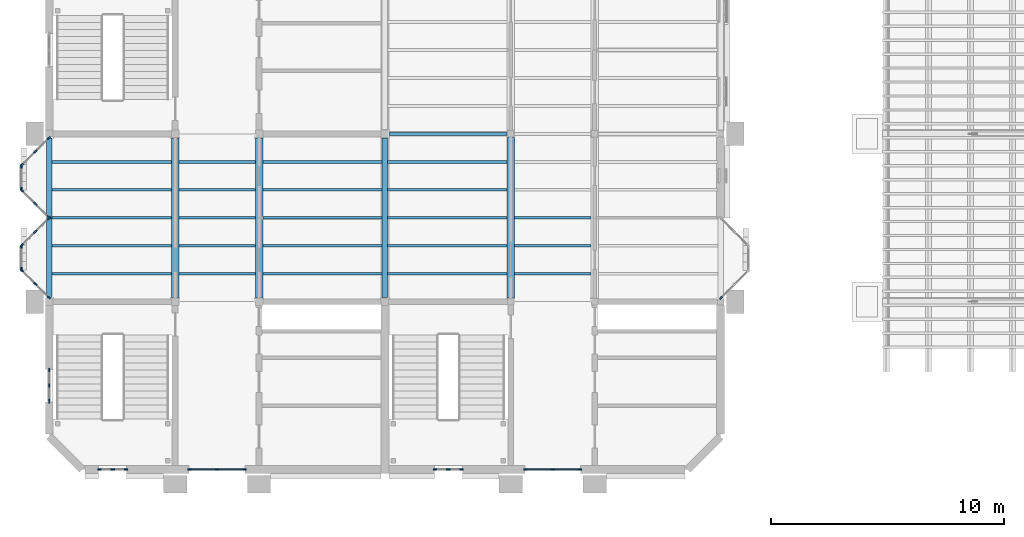
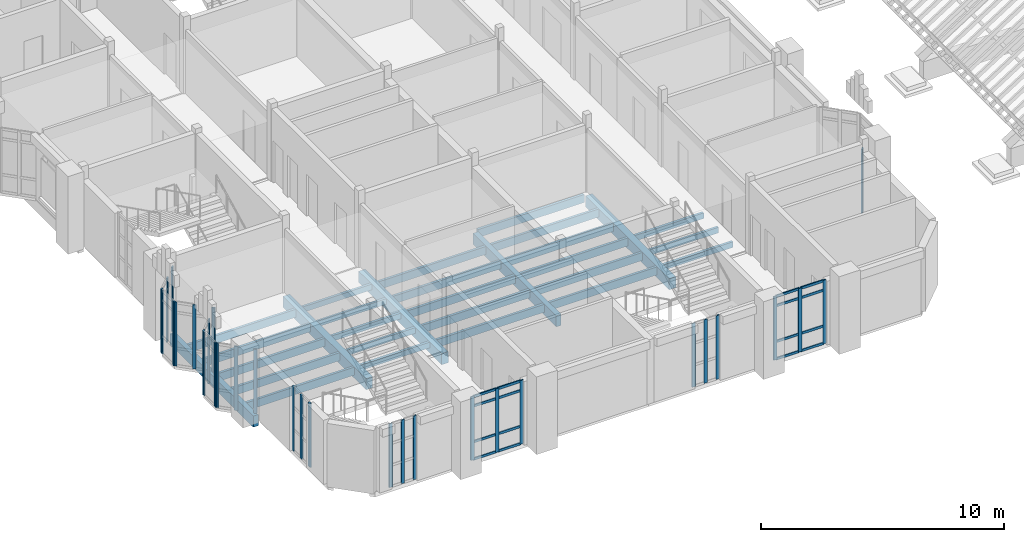
# One storey, part 4 of 71: 48 members, 29 beams, 12 elements without a shape of their own.
"""IFC4 building model written with IfcOpenShell, lengths in metres."""

import ifcopenshell
import ifcopenshell.guid

model = None  # the IFC model being written
_history = None  # IfcOwnerHistory: only IFC2X3 demands one
_inside = {}  # id of a spatial element -> (the spatial element, [elements in it])
_under = {}  # id of a project, library or spatial element -> (it, [spatial elements below it])
_declared = {}  # id of a project -> (the project, [libraries it declares])
_typed = {}  # id of a type object -> (the type object, [elements of that type])
_made_of = {}  # id of a material, layer set ... -> (it, [elements and type objects made of it])


def new_model(schema):
    """Start an empty IFC model of exactly this schema.

    Asked for "IFC4X3", IfcOpenShell would pick the latest addendum, in which some entities
    have other attributes; the version numbers below select the first issue.
    IFC2X3 requires an IfcOwnerHistory on every rooted entity: one is made here for all.
    """
    global model, _history
    if schema == "IFC4X3":
        model = ifcopenshell.file(schema_version=(4, 3, 0, 0))
    else:
        model = ifcopenshell.file(schema=schema)
    _inside.clear()
    _under.clear()
    _declared.clear()
    _typed.clear()
    _made_of.clear()
    _history = None
    if model.schema == "IFC2X3":
        org = make("IfcOrganization", Name="unknown")
        user = make(
            "IfcPersonAndOrganization",
            ThePerson=make("IfcPerson", FamilyName="unknown"),
            TheOrganization=org,
        )
        app = make(
            "IfcApplication",
            ApplicationDeveloper=org,
            Version="unknown",
            ApplicationFullName="unknown",
            ApplicationIdentifier="unknown",
        )
        _history = make(
            "IfcOwnerHistory",
            OwningUser=user,
            OwningApplication=app,
            ChangeAction="ADDED",
            CreationDate=0,
        )
    return model


def make(cls, **values):
    """One entity of the class cls with the attributes given. An attribute that is None is left unset."""
    return model.create_entity(
        cls, **{name: value for name, value in values.items() if value is not None}
    )


def rooted(cls, **values):
    """An entity with a GlobalId (a new one), such as an element, a storey or a relation."""
    return make(cls, GlobalId=ifcopenshell.guid.new(), OwnerHistory=_history, **values)


def si_unit(unit_type, name, prefix=None):
    """IfcSIUnit, for example si_unit("LENGTHUNIT", "METRE", prefix="MILLI")."""
    return make("IfcSIUnit", UnitType=unit_type, Prefix=prefix, Name=name)


def assignment(units):
    """IfcUnitAssignment: the units of a project."""
    return None if units is None else make("IfcUnitAssignment", Units=units)


def point(xyz):
    """IfcCartesianPoint."""
    return None if xyz is None else make("IfcCartesianPoint", Coordinates=xyz)


def direction(xyz):
    """IfcDirection."""
    return None if xyz is None else make("IfcDirection", DirectionRatios=xyz)


def frame(location, z_axis=None, x_axis=None):
    """IfcAxis2Placement3D, a coordinate frame: its origin and axes. An axis left out is left unset."""
    return make(
        "IfcAxis2Placement3D",
        Location=point(location),
        Axis=direction(z_axis),
        RefDirection=direction(x_axis),
    )


def frame_2d(location, x_axis=None):
    """IfcAxis2Placement2D, a coordinate frame in the plane: its origin and x axis."""
    return make(
        "IfcAxis2Placement2D", Location=point(location), RefDirection=direction(x_axis)
    )


def origin():
    """The frame at (0, 0, 0) with its axes left unset."""
    return frame((0.0, 0.0, 0.0))


def origin_2d():
    """The frame at (0, 0) in the plane with its x axis left unset."""
    return frame_2d((0.0, 0.0))


def place(relative_to, where):
    """IfcLocalPlacement: puts the frame where relative to a parent placement (None: the world)."""
    return make(
        "IfcLocalPlacement", PlacementRelTo=relative_to, RelativePlacement=where
    )


def context(
    kind, dimensions, precision=None, world=None, true_north=None, identifier=None
):
    """IfcGeometricRepresentationContext, for example the 3D "Model" context."""
    return make(
        "IfcGeometricRepresentationContext",
        ContextIdentifier=identifier,
        ContextType=kind,
        CoordinateSpaceDimension=dimensions,
        Precision=precision,
        WorldCoordinateSystem=world,
        TrueNorth=true_north,
    )


def subcontext(parent, identifier, kind, view, scale=None):
    """IfcGeometricRepresentationSubContext, for example "Body" below "Model"."""
    return make(
        "IfcGeometricRepresentationSubContext",
        ContextIdentifier=identifier,
        ContextType=kind,
        ParentContext=parent,
        TargetScale=scale,
        TargetView=view,
    )


def project(units=None, contexts=None):
    """IfcProject with its units and contexts."""
    return rooted(
        "IfcProject",
        Name="project",
        RepresentationContexts=contexts,
        UnitsInContext=assignment(units),
    )


def spatial(cls, under=None, at=None, **own):
    """A site, building, storey or space (cls), placed at a placement, below another one or the project."""
    s = rooted(cls, ObjectPlacement=at, **own)
    if under is not None:
        _under.setdefault(under.id(), (under, []))[1].append(s)
    return s


def profile(cls, at=None, kind="AREA", **sizes):
    """A parametric profile (cls). Its sizes go by their IFC names, for example OverallWidth=200.0."""
    return make(cls, ProfileType=kind, Position=at, **sizes)


def rectangle(**sizes):
    """IfcRectangleProfileDef."""
    return profile("IfcRectangleProfileDef", **sizes)


def extrude(swept, where, along, depth):
    """IfcExtrudedAreaSolid: the profile swept, set in the frame where, extruded along a direction by depth."""
    return make(
        "IfcExtrudedAreaSolid",
        SweptArea=swept,
        Position=where,
        ExtrudedDirection=direction(along),
        Depth=depth,
    )


def shape(context_of_items, identifier, shape_type, items):
    """IfcShapeRepresentation: the items that make up one representation, for example the "Body"."""
    return make(
        "IfcShapeRepresentation",
        ContextOfItems=context_of_items,
        RepresentationIdentifier=identifier,
        RepresentationType=shape_type,
        Items=items,
    )


def material(Name=None, Category=None):
    """IfcMaterial."""
    return make("IfcMaterial", Name=Name, Category=Category)


def layer(
    of_material, thickness, ventilated=None, Name=None, Category=None, Priority=None
):
    """IfcMaterialLayer: one layer of a wall or slab, of a material (None: an air gap)."""
    return make(
        "IfcMaterialLayer",
        Material=of_material,
        LayerThickness=thickness,
        IsVentilated=ventilated,
        Name=Name,
        Category=Category,
        Priority=Priority,
    )


def layer_set(layers, Name=None):
    """IfcMaterialLayerSet."""
    return make("IfcMaterialLayerSet", MaterialLayers=layers, LayerSetName=Name)


def material_profile(
    of_material, cross_section, Name=None, Category=None, Priority=None
):
    """IfcMaterialProfile: a cross section and its material."""
    return make(
        "IfcMaterialProfile",
        Name=Name,
        Material=of_material,
        Profile=cross_section,
        Priority=Priority,
        Category=Category,
    )


def profile_set(profiles, Name=None, composite=None):
    """IfcMaterialProfileSet."""
    return make(
        "IfcMaterialProfileSet",
        Name=Name,
        MaterialProfiles=profiles,
        CompositeProfile=composite,
    )


def made_of(thing, what):
    """Note that an element or type object is made of a material, layer set ...; save() writes the relation."""
    if what is not None:
        _made_of.setdefault(what.id(), (what, []))[1].append(thing)
    return thing


def type_object(cls, material=None, **own):
    """A type object (cls), such as IfcWallType, which elements share."""
    return made_of(rooted(cls, **own), material)


def element(
    cls,
    number,
    at=None,
    inside=None,
    cuts=None,
    type_object=None,
    material=None,
    context=None,
    identifier="Body",
    shape_type=None,
    held_by="IfcProductDefinitionShape",
    body=None,
    shapes=None,
    **own,
):
    """One element of the class cls, such as IfcWall. Its Tag is "e" and its number.

    at: its placement. inside: the storey or other place that contains it. cuts: it is an
    opening in that element (IfcRelVoidsElement). A single representation is given by context,
    identifier, shape_type and body (its items); several are given by shapes. held_by: the class
    of the entity that holds the representations. save() writes the other relations.
    """
    e = rooted(cls, Tag="e%d" % number, ObjectPlacement=at, **own)
    if body is not None:
        shapes = [shape(context, identifier, shape_type, body)]
    if shapes is not None:
        e.Representation = make(held_by, Representations=shapes)
    if inside is not None:
        _inside.setdefault(inside.id(), (inside, []))[1].append(e)
    if cuts is not None:
        rooted(
            "IfcRelVoidsElement", RelatingBuildingElement=cuts, RelatedOpeningElement=e
        )
    if type_object is not None:
        _typed.setdefault(type_object.id(), (type_object, []))[1].append(e)
    return made_of(e, material)


def aggregate(whole, parts):
    """IfcRelAggregates: a whole, such as a stair, and the parts it consists of."""
    return rooted("IfcRelAggregates", RelatingObject=whole, RelatedObjects=parts)


def save(model, path):
    """Write the relations noted so far, then the file.

    IfcRelAggregates (storeys below a building ...), IfcRelContainedInSpatialStructure (elements
    in a storey), IfcRelDefinesByType, IfcRelAssociatesMaterial and IfcRelDeclares: one each for
    every whole, place, type object, material and project.
    """
    for whole, parts in _under.values():
        aggregate(whole, parts)
    for where, things in _inside.values():
        rooted(
            "IfcRelContainedInSpatialStructure",
            RelatedElements=things,
            RelatingStructure=where,
        )
    for kind, things in _typed.values():
        rooted("IfcRelDefinesByType", RelatedObjects=things, RelatingType=kind)
    for what, things in _made_of.values():
        rooted("IfcRelAssociatesMaterial", RelatedObjects=things, RelatingMaterial=what)
    for by, libraries in _declared.values():
        rooted("IfcRelDeclares", RelatingContext=by, RelatedDefinitions=libraries)
    model.write(path)


model = new_model("IFC4")

# Units and contexts
model_context = context("Model", 3, precision=1e-05, world=origin(), true_north=direction((0.0, 1.0)))
body_context = subcontext(model_context, "Body", "Model", "MODEL_VIEW")
ifc_project = project(units=[si_unit("LENGTHUNIT", "METRE"), si_unit("AREAUNIT", "SQUARE_METRE"), si_unit("VOLUMEUNIT", "CUBIC_METRE"), si_unit("PLANEANGLEUNIT", "RADIAN"), si_unit("MASSUNIT", "GRAM", prefix="KILO")], contexts=[model_context])

# Site, building, storey
site_placement = place(None, origin())
site = spatial("IfcSite", under=ifc_project, at=site_placement, CompositionType="ELEMENT")
building_placement = place(site_placement, origin())
building = spatial("IfcBuilding", under=site, at=building_placement, Name="Mazhai Court Health Centre", CompositionType="ELEMENT")
storey_placement = place(building_placement, frame((0.0, 0.0, 10.199951171875)))
storey = spatial("IfcBuildingStorey", under=building, at=storey_placement, Name="L02", CompositionType="ELEMENT", Elevation=10.199951171875)

# Curtain wall, members
ifc_material_1 = material(Name="Teak timber frame, glazed", Category="wood")
ifc_layer_1 = layer(ifc_material_1, 0.10009765625)
ifc_layer_set_1 = layer_set([ifc_layer_1], Name="CURTAIN WALL TIMBER 600")
curtain_wall_type_1 = type_object("IfcCurtainWallType", Name="CURTAIN WALL TIMBER 600", PredefinedType="NOTDEFINED", material=ifc_layer_set_1)
curtain_wall_1_placement = place(storey_placement, origin())
curtain_wall_1 = element("IfcCurtainWall", 1, at=curtain_wall_1_placement, inside=storey, type_object=curtain_wall_type_1, Name="CW-V2-L02-A0", PredefinedType="NOTDEFINED")
ifc_material_2 = material(Name="Teak timber", Category="wood")
ifc_material_profile_1 = material_profile(ifc_material_2, rectangle(XDim=0.06005859375, YDim=0.159912109375, at=origin_2d()), Name="CW MULLION 60x160")
ifc_profile_set_1 = profile_set([ifc_material_profile_1], Name="Teak timber")
member_type_1 = type_object("IfcMemberType", Name="CW MULLION 60x160", PredefinedType="MULLION", material=ifc_profile_set_1)
member_1_placement = place(storey_placement, frame((6.199951171875, 9.1298828125, 0.0), z_axis=(0.0, 0.0, 1.0), x_axis=(-1.0, 0.0, 0.0)))
member_1 = element("IfcMember", 2, at=member_1_placement, type_object=member_type_1, Name="CW mullion 1", PredefinedType="MULLION", context=body_context, shape_type="SweptSolid", body=[
    extrude(rectangle(XDim=0.06005859375, YDim=0.159912109375, at=origin_2d()), origin(), (0.0, 0.0, 1.0), 3.219970703125),
])
member_2_placement = place(storey_placement, frame((6.199951171875, 9.800048828125, 0.0), z_axis=(0.0, 0.0, 1.0), x_axis=(-1.0, 0.0, 0.0)))
member_2 = element("IfcMember", 3, at=member_2_placement, type_object=member_type_1, Name="CW mullion 2", PredefinedType="MULLION", context=body_context, shape_type="SweptSolid", body=[
    extrude(rectangle(XDim=0.06005859375, YDim=0.159912109375, at=origin_2d()), origin(), (0.0, 0.0, 1.0), 3.219970703125),
])
member_3_placement = place(storey_placement, frame((6.199951171875, 10.469970703125, 0.0), z_axis=(0.0, 0.0, 1.0), x_axis=(-1.0, 0.0, 0.0)))
member_3 = element("IfcMember", 4, at=member_3_placement, type_object=member_type_1, Name="CW mullion 3", PredefinedType="MULLION", context=body_context, shape_type="SweptSolid", body=[
    extrude(rectangle(XDim=0.06005859375, YDim=0.159912109375, at=origin_2d()), origin(), (0.0, 0.0, 1.0), 3.219970703125),
])
aggregate(curtain_wall_1, [member_1, member_2, member_3])

ifc_material_3 = material(Name="Teak timber frame, glazed", Category="wood")
ifc_layer_2 = layer(ifc_material_3, 0.10009765625)
ifc_layer_set_2 = layer_set([ifc_layer_2], Name="CURTAIN WALL TIMBER 900")
curtain_wall_type_2 = type_object("IfcCurtainWallType", Name="CURTAIN WALL TIMBER 900", PredefinedType="NOTDEFINED", material=ifc_layer_set_2)
curtain_wall_2_placement = place(storey_placement, origin())
curtain_wall_2 = element("IfcCurtainWall", 5, at=curtain_wall_2_placement, inside=storey, type_object=curtain_wall_type_2, Name="CW-ORIEL-V2-L02-A10-0", PredefinedType="NOTDEFINED")
member_4_placement = place(storey_placement, frame((6.1787109375, 13.581298828125, 0.0), z_axis=(0.0, 0.0, 1.0), x_axis=(-0.707106781187, -0.707106781187, 0.0)))
member_4 = element("IfcMember", 6, at=member_4_placement, type_object=member_type_1, Name="CW mullion 1", PredefinedType="MULLION", context=body_context, shape_type="SweptSolid", body=[
    extrude(rectangle(XDim=0.06005859375, YDim=0.159912109375, at=origin_2d()), origin(), (0.0, 0.0, 1.0), 3.219970703125),
])
member_5_placement = place(storey_placement, frame((5.60009765625, 14.159912109375, 0.0), z_axis=(0.0, 0.0, 1.0), x_axis=(-0.707106781187, -0.707106781187, 0.0)))
member_5 = element("IfcMember", 7, at=member_5_placement, type_object=member_type_1, Name="CW mullion 2", PredefinedType="MULLION", context=body_context, shape_type="SweptSolid", body=[
    extrude(rectangle(XDim=0.06005859375, YDim=0.159912109375, at=origin_2d()), origin(), (0.0, 0.0, 1.0), 3.219970703125),
])
member_6_placement = place(storey_placement, frame((5.021240234375, 14.73876953125, 0.0), z_axis=(0.0, 0.0, 1.0), x_axis=(-0.707106781187, -0.707106781187, 0.0)))
member_6 = element("IfcMember", 8, at=member_6_placement, type_object=member_type_1, Name="CW mullion 3", PredefinedType="MULLION", context=body_context, shape_type="SweptSolid", body=[
    extrude(rectangle(XDim=0.06005859375, YDim=0.159912109375, at=origin_2d()), origin(), (0.0, 0.0, 1.0), 3.219970703125),
])
aggregate(curtain_wall_2, [member_4, member_5, member_6])

curtain_wall_3_placement = place(storey_placement, origin())
curtain_wall_3 = element("IfcCurtainWall", 9, at=curtain_wall_3_placement, inside=storey, type_object=curtain_wall_type_2, Name="CW-ORIEL-V2-L02-A10-1", PredefinedType="NOTDEFINED")
member_7_placement = place(storey_placement, frame((5.0, 14.7900390625, 0.0), z_axis=(0.0, 0.0, 1.0), x_axis=(-1.0, 0.0, 0.0)))
member_7 = element("IfcMember", 10, at=member_7_placement, type_object=member_type_1, Name="CW mullion 1", PredefinedType="MULLION", context=body_context, shape_type="SweptSolid", body=[
    extrude(rectangle(XDim=0.06005859375, YDim=0.159912109375, at=origin_2d()), origin(), (0.0, 0.0, 1.0), 3.219970703125),
])
member_8_placement = place(storey_placement, frame((5.0, 15.77001953125, 0.0), z_axis=(0.0, 0.0, 1.0), x_axis=(-1.0, 0.0, 0.0)))
member_8 = element("IfcMember", 11, at=member_8_placement, type_object=member_type_1, Name="CW mullion 2", PredefinedType="MULLION", context=body_context, shape_type="SweptSolid", body=[
    extrude(rectangle(XDim=0.06005859375, YDim=0.159912109375, at=origin_2d()), origin(), (0.0, 0.0, 1.0), 3.219970703125),
])
aggregate(curtain_wall_3, [member_7, member_8])

curtain_wall_4_placement = place(storey_placement, origin())
curtain_wall_4 = element("IfcCurtainWall", 12, at=curtain_wall_4_placement, inside=storey, type_object=curtain_wall_type_2, Name="CW-ORIEL-V2-L02-A10-2", PredefinedType="NOTDEFINED")
member_9_placement = place(storey_placement, frame((5.021240234375, 15.8212890625, 0.0), z_axis=(0.0, 0.0, 1.0), x_axis=(-0.707106781187, 0.707106781187, 0.0)))
member_9 = element("IfcMember", 13, at=member_9_placement, type_object=member_type_1, Name="CW mullion 1", PredefinedType="MULLION", context=body_context, shape_type="SweptSolid", body=[
    extrude(rectangle(XDim=0.06005859375, YDim=0.159912109375, at=origin_2d()), origin(), (0.0, 0.0, 1.0), 3.219970703125),
])
member_10_placement = place(storey_placement, frame((5.60009765625, 16.39990234375, 0.0), z_axis=(0.0, 0.0, 1.0), x_axis=(-0.707106781187, 0.707106781187, 0.0)))
member_10 = element("IfcMember", 14, at=member_10_placement, type_object=member_type_1, Name="CW mullion 2", PredefinedType="MULLION", context=body_context, shape_type="SweptSolid", body=[
    extrude(rectangle(XDim=0.06005859375, YDim=0.159912109375, at=origin_2d()), origin(), (0.0, 0.0, 1.0), 3.219970703125),
])
member_11_placement = place(storey_placement, frame((6.1787109375, 16.978759765625, 0.0), z_axis=(0.0, 0.0, 1.0), x_axis=(-0.707106781187, 0.707106781187, 0.0)))
member_11 = element("IfcMember", 15, at=member_11_placement, type_object=member_type_1, Name="CW mullion 3", PredefinedType="MULLION", context=body_context, shape_type="SweptSolid", body=[
    extrude(rectangle(XDim=0.06005859375, YDim=0.159912109375, at=origin_2d()), origin(), (0.0, 0.0, 1.0), 3.219970703125),
])
aggregate(curtain_wall_4, [member_9, member_10, member_11])

curtain_wall_5_placement = place(storey_placement, origin())
curtain_wall_5 = element("IfcCurtainWall", 16, at=curtain_wall_5_placement, inside=storey, type_object=curtain_wall_type_2, Name="CW-ORIEL-V2-L02-A11-0", PredefinedType="NOTDEFINED")
member_12_placement = place(storey_placement, frame((6.1787109375, 17.021240234375, 0.0), z_axis=(0.0, 0.0, 1.0), x_axis=(-0.707106781187, -0.707106781187, 0.0)))
member_12 = element("IfcMember", 17, at=member_12_placement, type_object=member_type_1, Name="CW mullion 1", PredefinedType="MULLION", context=body_context, shape_type="SweptSolid", body=[
    extrude(rectangle(XDim=0.06005859375, YDim=0.159912109375, at=origin_2d()), origin(), (0.0, 0.0, 1.0), 3.219970703125),
])
member_13_placement = place(storey_placement, frame((5.60009765625, 17.60009765625, 0.0), z_axis=(0.0, 0.0, 1.0), x_axis=(-0.707106781187, -0.707106781187, 0.0)))
member_13 = element("IfcMember", 18, at=member_13_placement, type_object=member_type_1, Name="CW mullion 2", PredefinedType="MULLION", context=body_context, shape_type="SweptSolid", body=[
    extrude(rectangle(XDim=0.06005859375, YDim=0.159912109375, at=origin_2d()), origin(), (0.0, 0.0, 1.0), 3.219970703125),
])
member_14_placement = place(storey_placement, frame((5.021240234375, 18.1787109375, 0.0), z_axis=(0.0, 0.0, 1.0), x_axis=(-0.707106781187, -0.707106781187, 0.0)))
member_14 = element("IfcMember", 19, at=member_14_placement, type_object=member_type_1, Name="CW mullion 3", PredefinedType="MULLION", context=body_context, shape_type="SweptSolid", body=[
    extrude(rectangle(XDim=0.06005859375, YDim=0.159912109375, at=origin_2d()), origin(), (0.0, 0.0, 1.0), 3.219970703125),
])
aggregate(curtain_wall_5, [member_12, member_13, member_14])

curtain_wall_6_placement = place(storey_placement, origin())
curtain_wall_6 = element("IfcCurtainWall", 20, at=curtain_wall_6_placement, inside=storey, type_object=curtain_wall_type_2, Name="CW-ORIEL-V2-L02-A11-1", PredefinedType="NOTDEFINED")
member_15_placement = place(storey_placement, frame((5.0, 18.22998046875, 0.0), z_axis=(0.0, 0.0, 1.0), x_axis=(-1.0, 0.0, 0.0)))
member_15 = element("IfcMember", 21, at=member_15_placement, type_object=member_type_1, Name="CW mullion 1", PredefinedType="MULLION", context=body_context, shape_type="SweptSolid", body=[
    extrude(rectangle(XDim=0.06005859375, YDim=0.159912109375, at=origin_2d()), origin(), (0.0, 0.0, 1.0), 3.219970703125),
])
member_16_placement = place(storey_placement, frame((5.0, 19.2099609375, 0.0), z_axis=(0.0, 0.0, 1.0), x_axis=(-1.0, 0.0, 0.0)))
member_16 = element("IfcMember", 22, at=member_16_placement, type_object=member_type_1, Name="CW mullion 2", PredefinedType="MULLION", context=body_context, shape_type="SweptSolid", body=[
    extrude(rectangle(XDim=0.06005859375, YDim=0.159912109375, at=origin_2d()), origin(), (0.0, 0.0, 1.0), 3.219970703125),
])
aggregate(curtain_wall_6, [member_15, member_16])

curtain_wall_7_placement = place(storey_placement, origin())
curtain_wall_7 = element("IfcCurtainWall", 23, at=curtain_wall_7_placement, inside=storey, type_object=curtain_wall_type_2, Name="CW-ORIEL-V2-L02-A11-2", PredefinedType="NOTDEFINED")
member_17_placement = place(storey_placement, frame((5.021240234375, 19.26123046875, 0.0), z_axis=(0.0, 0.0, 1.0), x_axis=(-0.707106781187, 0.707106781187, 0.0)))
member_17 = element("IfcMember", 24, at=member_17_placement, type_object=member_type_1, Name="CW mullion 1", PredefinedType="MULLION", context=body_context, shape_type="SweptSolid", body=[
    extrude(rectangle(XDim=0.06005859375, YDim=0.159912109375, at=origin_2d()), origin(), (0.0, 0.0, 1.0), 3.219970703125),
])
member_18_placement = place(storey_placement, frame((5.60009765625, 19.840087890625, 0.0), z_axis=(0.0, 0.0, 1.0), x_axis=(-0.707106781187, 0.707106781187, 0.0)))
member_18 = element("IfcMember", 25, at=member_18_placement, type_object=member_type_1, Name="CW mullion 2", PredefinedType="MULLION", context=body_context, shape_type="SweptSolid", body=[
    extrude(rectangle(XDim=0.06005859375, YDim=0.159912109375, at=origin_2d()), origin(), (0.0, 0.0, 1.0), 3.219970703125),
])
member_19_placement = place(storey_placement, frame((6.1787109375, 20.418701171875, 0.0), z_axis=(0.0, 0.0, 1.0), x_axis=(-0.707106781187, 0.707106781187, 0.0)))
member_19 = element("IfcMember", 26, at=member_19_placement, type_object=member_type_1, Name="CW mullion 3", PredefinedType="MULLION", context=body_context, shape_type="SweptSolid", body=[
    extrude(rectangle(XDim=0.06005859375, YDim=0.159912109375, at=origin_2d()), origin(), (0.0, 0.0, 1.0), 3.219970703125),
])
aggregate(curtain_wall_7, [member_17, member_18, member_19])

curtain_wall_8_placement = place(storey_placement, origin())
curtain_wall_8 = element("IfcCurtainWall", 27, at=curtain_wall_8_placement, inside=storey, type_object=curtain_wall_type_1, Name="CW-V2-L02-SSTAIR0", PredefinedType="NOTDEFINED")
member_20_placement = place(storey_placement, frame((9.489990234375, 6.199951171875, 0.0), z_axis=(0.0, 0.0, 1.0), x_axis=(0.0, -1.0, 0.0)))
member_20 = element("IfcMember", 28, at=member_20_placement, type_object=member_type_1, Name="CW mullion 1", PredefinedType="MULLION", context=body_context, shape_type="SweptSolid", body=[
    extrude(rectangle(XDim=0.06005859375, YDim=0.159912109375, at=origin_2d()), origin(), (0.0, 0.0, 1.0), 3.199951171875),
])
member_21_placement = place(storey_placement, frame((8.919921875, 6.199951171875, 0.0), z_axis=(0.0, 0.0, 1.0), x_axis=(0.0, -1.0, 0.0)))
member_21 = element("IfcMember", 29, at=member_21_placement, type_object=member_type_1, Name="CW mullion 2", PredefinedType="MULLION", context=body_context, shape_type="SweptSolid", body=[
    extrude(rectangle(XDim=0.06005859375, YDim=0.159912109375, at=origin_2d()), origin(), (0.0, 0.0, 1.0), 3.199951171875),
])
member_22_placement = place(storey_placement, frame((8.35009765625, 6.199951171875, 0.0), z_axis=(0.0, 0.0, 1.0), x_axis=(0.0, -1.0, 0.0)))
member_22 = element("IfcMember", 30, at=member_22_placement, type_object=member_type_1, Name="CW mullion 3", PredefinedType="MULLION", context=body_context, shape_type="SweptSolid", body=[
    extrude(rectangle(XDim=0.06005859375, YDim=0.159912109375, at=origin_2d()), origin(), (0.0, 0.0, 1.0), 3.199951171875),
])
aggregate(curtain_wall_8, [member_20, member_21, member_22])

ifc_material_4 = material(Name="Teak timber frame, glazed", Category="wood")
ifc_layer_3 = layer(ifc_material_4, 0.10009765625)
ifc_layer_set_3 = layer_set([ifc_layer_3], Name="CURTAIN WALL TIMBER 1200")
curtain_wall_type_3 = type_object("IfcCurtainWallType", Name="CURTAIN WALL TIMBER 1200", PredefinedType="NOTDEFINED", material=ifc_layer_set_3)
curtain_wall_9_placement = place(storey_placement, origin())
curtain_wall_9 = element("IfcCurtainWall", 31, at=curtain_wall_9_placement, inside=storey, type_object=curtain_wall_type_3, Name="CW-V2-L02-SEND1", PredefinedType="NOTDEFINED")
member_23_placement = place(storey_placement, frame((14.570068359375, 6.199951171875, 0.0), z_axis=(0.0, 0.0, 1.0), x_axis=(0.0, -1.0, 0.0)))
member_23 = element("IfcMember", 32, at=member_23_placement, type_object=member_type_1, Name="CW mullion 1", PredefinedType="MULLION", context=body_context, shape_type="SweptSolid", body=[
    extrude(rectangle(XDim=0.06005859375, YDim=0.159912109375, at=origin_2d()), origin(), (0.0, 0.0, 1.0), 3.199951171875),
])
member_24_placement = place(storey_placement, frame((13.39990234375, 6.199951171875, 0.0), z_axis=(0.0, 0.0, 1.0), x_axis=(0.0, -1.0, 0.0)))
member_24 = element("IfcMember", 33, at=member_24_placement, type_object=member_type_1, Name="CW mullion 2", PredefinedType="MULLION", context=body_context, shape_type="SweptSolid", body=[
    extrude(rectangle(XDim=0.06005859375, YDim=0.159912109375, at=origin_2d()), origin(), (0.0, 0.0, 1.0), 3.199951171875),
])
member_25_placement = place(storey_placement, frame((12.22998046875, 6.199951171875, 0.0), z_axis=(0.0, 0.0, 1.0), x_axis=(0.0, -1.0, 0.0)))
member_25 = element("IfcMember", 34, at=member_25_placement, type_object=member_type_1, Name="CW mullion 3", PredefinedType="MULLION", context=body_context, shape_type="SweptSolid", body=[
    extrude(rectangle(XDim=0.06005859375, YDim=0.159912109375, at=origin_2d()), origin(), (0.0, 0.0, 1.0), 3.199951171875),
])

# Curtain wall, member
curtain_wall_10_placement = place(storey_placement, origin())
curtain_wall_10 = element("IfcCurtainWall", 35, at=curtain_wall_10_placement, inside=storey, type_object=curtain_wall_type_2, Name="CW-ORIEL-V5-L02-B10-0", PredefinedType="NOTDEFINED")
member_26_placement = place(storey_placement, frame((35.021240234375, 13.561279296875, 0.0), z_axis=(0.0, 0.0, 1.0), x_axis=(-0.707106781187, 0.707106781187, 0.0)))
member_26 = element("IfcMember", 36, at=member_26_placement, type_object=member_type_1, Name="CW mullion 1", PredefinedType="MULLION", context=body_context, shape_type="SweptSolid", body=[
    extrude(rectangle(XDim=0.06005859375, YDim=0.159912109375, at=origin_2d()), origin(), (0.0, 0.0, 1.0), 3.219970703125),
])
aggregate(curtain_wall_10, [member_26])

# Curtain wall, members
curtain_wall_11_placement = place(storey_placement, origin())
curtain_wall_11 = element("IfcCurtainWall", 37, at=curtain_wall_11_placement, inside=storey, type_object=curtain_wall_type_1, Name="CW-V5-L02-SSTAIR0", PredefinedType="NOTDEFINED")
member_27_placement = place(storey_placement, frame((23.889892578125, 6.199951171875, 0.0), z_axis=(0.0, 0.0, 1.0), x_axis=(0.0, -1.0, 0.0)))
member_27 = element("IfcMember", 38, at=member_27_placement, type_object=member_type_1, Name="CW mullion 1", PredefinedType="MULLION", context=body_context, shape_type="SweptSolid", body=[
    extrude(rectangle(XDim=0.06005859375, YDim=0.159912109375, at=origin_2d()), origin(), (0.0, 0.0, 1.0), 3.199951171875),
])
member_28_placement = place(storey_placement, frame((23.320068359375, 6.199951171875, 0.0), z_axis=(0.0, 0.0, 1.0), x_axis=(0.0, -1.0, 0.0)))
member_28 = element("IfcMember", 39, at=member_28_placement, type_object=member_type_1, Name="CW mullion 2", PredefinedType="MULLION", context=body_context, shape_type="SweptSolid", body=[
    extrude(rectangle(XDim=0.06005859375, YDim=0.159912109375, at=origin_2d()), origin(), (0.0, 0.0, 1.0), 3.199951171875),
])
member_29_placement = place(storey_placement, frame((22.75, 6.199951171875, 0.0), z_axis=(0.0, 0.0, 1.0), x_axis=(0.0, -1.0, 0.0)))
member_29 = element("IfcMember", 40, at=member_29_placement, type_object=member_type_1, Name="CW mullion 3", PredefinedType="MULLION", context=body_context, shape_type="SweptSolid", body=[
    extrude(rectangle(XDim=0.06005859375, YDim=0.159912109375, at=origin_2d()), origin(), (0.0, 0.0, 1.0), 3.199951171875),
])
aggregate(curtain_wall_11, [member_27, member_28, member_29])

curtain_wall_12_placement = place(storey_placement, origin())
curtain_wall_12 = element("IfcCurtainWall", 41, at=curtain_wall_12_placement, inside=storey, type_object=curtain_wall_type_3, Name="CW-V5-L02-SEND1", PredefinedType="NOTDEFINED")
member_30_placement = place(storey_placement, frame((28.969970703125, 6.199951171875, 0.0), z_axis=(0.0, 0.0, 1.0), x_axis=(0.0, -1.0, 0.0)))
member_30 = element("IfcMember", 42, at=member_30_placement, type_object=member_type_1, Name="CW mullion 1", PredefinedType="MULLION", context=body_context, shape_type="SweptSolid", body=[
    extrude(rectangle(XDim=0.06005859375, YDim=0.159912109375, at=origin_2d()), origin(), (0.0, 0.0, 1.0), 3.199951171875),
])
member_31_placement = place(storey_placement, frame((27.800048828125, 6.199951171875, 0.0), z_axis=(0.0, 0.0, 1.0), x_axis=(0.0, -1.0, 0.0)))
member_31 = element("IfcMember", 43, at=member_31_placement, type_object=member_type_1, Name="CW mullion 2", PredefinedType="MULLION", context=body_context, shape_type="SweptSolid", body=[
    extrude(rectangle(XDim=0.06005859375, YDim=0.159912109375, at=origin_2d()), origin(), (0.0, 0.0, 1.0), 3.199951171875),
])
member_32_placement = place(storey_placement, frame((26.6298828125, 6.199951171875, 0.0), z_axis=(0.0, 0.0, 1.0), x_axis=(0.0, -1.0, 0.0)))
member_32 = element("IfcMember", 44, at=member_32_placement, type_object=member_type_1, Name="CW mullion 3", PredefinedType="MULLION", context=body_context, shape_type="SweptSolid", body=[
    extrude(rectangle(XDim=0.06005859375, YDim=0.159912109375, at=origin_2d()), origin(), (0.0, 0.0, 1.0), 3.199951171875),
])

# Member
ifc_material_5 = material(Name="Teak timber", Category="wood")
ifc_material_profile_2 = material_profile(ifc_material_5, rectangle(XDim=0.06005859375, YDim=0.1201171875, at=origin_2d()), Name="CW TRANSOM 60x120")
ifc_profile_set_2 = profile_set([ifc_material_profile_2], Name="Teak timber")
member_type_2 = type_object("IfcMemberType", Name="CW TRANSOM 60x120", PredefinedType="USERDEFINED", material=ifc_profile_set_2)
member_33_placement = place(storey_placement, frame((14.5400390625, 6.199951171875, 0.030029296875), z_axis=(-1.0, 0.0, 0.0), x_axis=(0.0, -1.0, 0.0)))
member_33 = element("IfcMember", 45, at=member_33_placement, type_object=member_type_2, Name="CW transom 1.1", ObjectType="TRANSOM", PredefinedType="USERDEFINED", context=body_context, shape_type="SweptSolid", body=[
    extrude(rectangle(XDim=0.06005859375, YDim=0.1201171875, at=origin_2d()), origin(), (0.0, 0.0, 1.0), 1.110107421875),
])

member_34_placement = place(storey_placement, frame((14.5400390625, 6.199951171875, 0.900146484375), z_axis=(-1.0, 0.0, 0.0), x_axis=(0.0, -1.0, 0.0)))
member_34 = element("IfcMember", 46, at=member_34_placement, type_object=member_type_2, Name="CW transom 1.2", ObjectType="TRANSOM", PredefinedType="USERDEFINED", context=body_context, shape_type="SweptSolid", body=[
    extrude(rectangle(XDim=0.06005859375, YDim=0.1201171875, at=origin_2d()), origin(), (0.0, 0.0, 1.0), 1.110107421875),
])

member_35_placement = place(storey_placement, frame((14.5400390625, 6.199951171875, 2.699951171875), z_axis=(-1.0, 0.0, 0.0), x_axis=(0.0, -1.0, 0.0)))
member_35 = element("IfcMember", 47, at=member_35_placement, type_object=member_type_2, Name="CW transom 1.3", ObjectType="TRANSOM", PredefinedType="USERDEFINED", context=body_context, shape_type="SweptSolid", body=[
    extrude(rectangle(XDim=0.06005859375, YDim=0.1201171875, at=origin_2d()), origin(), (0.0, 0.0, 1.0), 1.110107421875),
])

member_36_placement = place(storey_placement, frame((14.5400390625, 6.199951171875, 3.170166015625), z_axis=(-1.0, 0.0, 0.0), x_axis=(0.0, -1.0, 0.0)))
member_36 = element("IfcMember", 48, at=member_36_placement, type_object=member_type_2, Name="CW transom 1.4", ObjectType="TRANSOM", PredefinedType="USERDEFINED", context=body_context, shape_type="SweptSolid", body=[
    extrude(rectangle(XDim=0.06005859375, YDim=0.1201171875, at=origin_2d()), origin(), (0.0, 0.0, 1.0), 1.110107421875),
])

member_37_placement = place(storey_placement, frame((13.3701171875, 6.199951171875, 0.030029296875), z_axis=(-1.0, 0.0, 0.0), x_axis=(0.0, -1.0, 0.0)))
member_37 = element("IfcMember", 49, at=member_37_placement, type_object=member_type_2, Name="CW transom 2.1", ObjectType="TRANSOM", PredefinedType="USERDEFINED", context=body_context, shape_type="SweptSolid", body=[
    extrude(rectangle(XDim=0.06005859375, YDim=0.1201171875, at=origin_2d()), origin(), (0.0, 0.0, 1.0), 1.110107421875),
])

member_38_placement = place(storey_placement, frame((13.3701171875, 6.199951171875, 0.900146484375), z_axis=(-1.0, 0.0, 0.0), x_axis=(0.0, -1.0, 0.0)))
member_38 = element("IfcMember", 50, at=member_38_placement, type_object=member_type_2, Name="CW transom 2.2", ObjectType="TRANSOM", PredefinedType="USERDEFINED", context=body_context, shape_type="SweptSolid", body=[
    extrude(rectangle(XDim=0.06005859375, YDim=0.1201171875, at=origin_2d()), origin(), (0.0, 0.0, 1.0), 1.110107421875),
])

member_39_placement = place(storey_placement, frame((13.3701171875, 6.199951171875, 2.699951171875), z_axis=(-1.0, 0.0, 0.0), x_axis=(0.0, -1.0, 0.0)))
member_39 = element("IfcMember", 51, at=member_39_placement, type_object=member_type_2, Name="CW transom 2.3", ObjectType="TRANSOM", PredefinedType="USERDEFINED", context=body_context, shape_type="SweptSolid", body=[
    extrude(rectangle(XDim=0.06005859375, YDim=0.1201171875, at=origin_2d()), origin(), (0.0, 0.0, 1.0), 1.110107421875),
])

member_40_placement = place(storey_placement, frame((13.3701171875, 6.199951171875, 3.170166015625), z_axis=(-1.0, 0.0, 0.0), x_axis=(0.0, -1.0, 0.0)))
member_40 = element("IfcMember", 52, at=member_40_placement, type_object=member_type_2, Name="CW transom 2.4", ObjectType="TRANSOM", PredefinedType="USERDEFINED", context=body_context, shape_type="SweptSolid", body=[
    extrude(rectangle(XDim=0.06005859375, YDim=0.1201171875, at=origin_2d()), origin(), (0.0, 0.0, 1.0), 1.110107421875),
])

aggregate(curtain_wall_9, [member_23, member_24, member_25, member_33, member_34, member_35, member_36, member_37, member_38, member_39, member_40])

member_41_placement = place(storey_placement, frame((28.93994140625, 6.199951171875, 0.030029296875), z_axis=(-1.0, 0.0, 0.0), x_axis=(0.0, -1.0, 0.0)))
member_41 = element("IfcMember", 53, at=member_41_placement, type_object=member_type_2, Name="CW transom 1.1", ObjectType="TRANSOM", PredefinedType="USERDEFINED", context=body_context, shape_type="SweptSolid", body=[
    extrude(rectangle(XDim=0.06005859375, YDim=0.1201171875, at=origin_2d()), origin(), (0.0, 0.0, 1.0), 1.10986328125),
])

member_42_placement = place(storey_placement, frame((28.93994140625, 6.199951171875, 0.900146484375), z_axis=(-1.0, 0.0, 0.0), x_axis=(0.0, -1.0, 0.0)))
member_42 = element("IfcMember", 54, at=member_42_placement, type_object=member_type_2, Name="CW transom 1.2", ObjectType="TRANSOM", PredefinedType="USERDEFINED", context=body_context, shape_type="SweptSolid", body=[
    extrude(rectangle(XDim=0.06005859375, YDim=0.1201171875, at=origin_2d()), origin(), (0.0, 0.0, 1.0), 1.10986328125),
])

member_43_placement = place(storey_placement, frame((28.93994140625, 6.199951171875, 2.699951171875), z_axis=(-1.0, 0.0, 0.0), x_axis=(0.0, -1.0, 0.0)))
member_43 = element("IfcMember", 55, at=member_43_placement, type_object=member_type_2, Name="CW transom 1.3", ObjectType="TRANSOM", PredefinedType="USERDEFINED", context=body_context, shape_type="SweptSolid", body=[
    extrude(rectangle(XDim=0.06005859375, YDim=0.1201171875, at=origin_2d()), origin(), (0.0, 0.0, 1.0), 1.10986328125),
])

member_44_placement = place(storey_placement, frame((28.93994140625, 6.199951171875, 3.170166015625), z_axis=(-1.0, 0.0, 0.0), x_axis=(0.0, -1.0, 0.0)))
member_44 = element("IfcMember", 56, at=member_44_placement, type_object=member_type_2, Name="CW transom 1.4", ObjectType="TRANSOM", PredefinedType="USERDEFINED", context=body_context, shape_type="SweptSolid", body=[
    extrude(rectangle(XDim=0.06005859375, YDim=0.1201171875, at=origin_2d()), origin(), (0.0, 0.0, 1.0), 1.10986328125),
])

member_45_placement = place(storey_placement, frame((27.77001953125, 6.199951171875, 0.030029296875), z_axis=(-1.0, 0.0, 0.0), x_axis=(0.0, -1.0, 0.0)))
member_45 = element("IfcMember", 57, at=member_45_placement, type_object=member_type_2, Name="CW transom 2.1", ObjectType="TRANSOM", PredefinedType="USERDEFINED", context=body_context, shape_type="SweptSolid", body=[
    extrude(rectangle(XDim=0.06005859375, YDim=0.1201171875, at=origin_2d()), origin(), (0.0, 0.0, 1.0), 1.110107421875),
])

member_46_placement = place(storey_placement, frame((27.77001953125, 6.199951171875, 0.900146484375), z_axis=(-1.0, 0.0, 0.0), x_axis=(0.0, -1.0, 0.0)))
member_46 = element("IfcMember", 58, at=member_46_placement, type_object=member_type_2, Name="CW transom 2.2", ObjectType="TRANSOM", PredefinedType="USERDEFINED", context=body_context, shape_type="SweptSolid", body=[
    extrude(rectangle(XDim=0.06005859375, YDim=0.1201171875, at=origin_2d()), origin(), (0.0, 0.0, 1.0), 1.110107421875),
])

member_47_placement = place(storey_placement, frame((27.77001953125, 6.199951171875, 2.699951171875), z_axis=(-1.0, 0.0, 0.0), x_axis=(0.0, -1.0, 0.0)))
member_47 = element("IfcMember", 59, at=member_47_placement, type_object=member_type_2, Name="CW transom 2.3", ObjectType="TRANSOM", PredefinedType="USERDEFINED", context=body_context, shape_type="SweptSolid", body=[
    extrude(rectangle(XDim=0.06005859375, YDim=0.1201171875, at=origin_2d()), origin(), (0.0, 0.0, 1.0), 1.110107421875),
])

member_48_placement = place(storey_placement, frame((27.77001953125, 6.199951171875, 3.170166015625), z_axis=(-1.0, 0.0, 0.0), x_axis=(0.0, -1.0, 0.0)))
member_48 = element("IfcMember", 60, at=member_48_placement, type_object=member_type_2, Name="CW transom 2.4", ObjectType="TRANSOM", PredefinedType="USERDEFINED", context=body_context, shape_type="SweptSolid", body=[
    extrude(rectangle(XDim=0.06005859375, YDim=0.1201171875, at=origin_2d()), origin(), (0.0, 0.0, 1.0), 1.110107421875),
])

aggregate(curtain_wall_12, [member_30, member_31, member_32, member_41, member_42, member_43, member_44, member_45, member_46, member_47, member_48])

# Beams
ifc_material_6 = material(Name="Glulam GL24h", Category="wood")
ifc_material_profile_3 = material_profile(ifc_material_6, rectangle(XDim=0.1201171875, YDim=0.280029296875, at=origin_2d()), Name="GL24h 120x280")
ifc_profile_set_3 = profile_set([ifc_material_profile_3], Name="Glulam GL24h")
beam_type_1 = type_object("IfcBeamType", Name="GL24h 120x280 joist", PredefinedType="JOIST", material=ifc_profile_set_3)
for number, where, z_axis, x_axis, name in (
    (61, (11.760009765625, 14.60009765625, -0.260009765625), (1.0, 0.0, 0.0), (0.0, 1.0, 0.0), "joist-V2-L02-1-B1"),
    (62, (11.760009765625, 15.800048828125, -0.260009765625), (1.0, 0.0, 0.0), (0.0, 1.0, 0.0), "joist-V2-L02-1-B2"),
    (63, (11.760009765625, 17.0, -0.260009765625), (1.0, 0.0, 0.0), (0.0, 1.0, 0.0), "joist-V2-L02-1-B3"),
    (64, (11.760009765625, 18.199951171875, -0.260009765625), (1.0, 0.0, 0.0), (0.0, 1.0, 0.0), "joist-V2-L02-1-B4"),
    (65, (11.760009765625, 19.39990234375, -0.260009765625), (1.0, 0.0, 0.0), (0.0, 1.0, 0.0), "joist-V2-L02-1-B5"),
    (66, (26.159912109375, 14.60009765625, -0.260009765625), (1.0, 0.0, 0.0), (0.0, 1.0, 0.0), "joist-V5-L02-1-B1"),
    (67, (26.159912109375, 15.800048828125, -0.260009765625), (1.0, 0.0, 0.0), (0.0, 1.0, 0.0), "joist-V5-L02-1-B2"),
    (68, (26.159912109375, 17.0, -0.260009765625), (1.0, 0.0, 0.0), (0.0, 1.0, 0.0), "joist-V5-L02-1-B3"),
):
    element("IfcBeam", number, at=place(storey_placement, frame(where, z_axis=z_axis, x_axis=x_axis)), inside=storey, type_object=beam_type_1, Name=name, PredefinedType="JOIST", context=body_context, shape_type="SweptSolid", body=[
        extrude(rectangle(XDim=0.1201171875, YDim=0.280029296875, at=origin_2d()), origin(), (0.0, 0.0, 1.0), 3.280029296875),
    ])
ifc_material_7 = material(Name="Glulam GL24h", Category="wood")
ifc_material_profile_4 = material_profile(ifc_material_7, rectangle(XDim=0.1201171875, YDim=0.39990234375, at=origin_2d()), Name="GL24h 120x400")
ifc_profile_set_4 = profile_set([ifc_material_profile_4], Name="Glulam GL24h")
beam_type_2 = type_object("IfcBeamType", Name="GL24h 120x400 joist", PredefinedType="JOIST", material=ifc_profile_set_4)
for number, where, z_axis, x_axis, name in (
    (69, (6.320068359375, 14.60009765625, -0.320068359375), (1.0, 0.0, 0.0), (0.0, 1.0, 0.0), "joist-V2-L02-1-A1"),
    (70, (6.320068359375, 15.800048828125, -0.320068359375), (1.0, 0.0, 0.0), (0.0, 1.0, 0.0), "joist-V2-L02-1-A2"),
    (71, (6.320068359375, 17.0, -0.320068359375), (1.0, 0.0, 0.0), (0.0, 1.0, 0.0), "joist-V2-L02-1-A3"),
    (72, (6.320068359375, 18.199951171875, -0.320068359375), (1.0, 0.0, 0.0), (0.0, 1.0, 0.0), "joist-V2-L02-1-A4"),
    (73, (6.320068359375, 19.39990234375, -0.320068359375), (1.0, 0.0, 0.0), (0.0, 1.0, 0.0), "joist-V2-L02-1-A5"),
    (74, (15.360107421875, 14.60009765625, -0.320068359375), (1.0, 0.0, 0.0), (0.0, 1.0, 0.0), "joist-V2-L02-1-C1"),
    (75, (15.360107421875, 15.800048828125, -0.320068359375), (1.0, 0.0, 0.0), (0.0, 1.0, 0.0), "joist-V2-L02-1-C2"),
    (76, (15.360107421875, 17.0, -0.320068359375), (1.0, 0.0, 0.0), (0.0, 1.0, 0.0), "joist-V2-L02-1-C3"),
    (77, (15.360107421875, 18.199951171875, -0.320068359375), (1.0, 0.0, 0.0), (0.0, 1.0, 0.0), "joist-V2-L02-1-C4"),
    (78, (15.360107421875, 19.39990234375, -0.320068359375), (1.0, 0.0, 0.0), (0.0, 1.0, 0.0), "joist-V2-L02-1-C5"),
):
    element("IfcBeam", number, at=place(storey_placement, frame(where, z_axis=z_axis, x_axis=x_axis)), inside=storey, type_object=beam_type_2, Name=name, PredefinedType="JOIST", context=body_context, shape_type="SweptSolid", body=[
        extrude(rectangle(XDim=0.1201171875, YDim=0.39990234375, at=origin_2d()), origin(), (0.0, 0.0, 1.0), 5.119873046875),
    ])
for number, where, z_axis, x_axis, name in (
    (79, (20.719970703125, 14.60009765625, -0.320068359375), (1.0, 0.0, 0.0), (0.0, 1.0, 0.0), "joist-V5-L02-1-A1"),
    (80, (20.719970703125, 15.800048828125, -0.320068359375), (1.0, 0.0, 0.0), (0.0, 1.0, 0.0), "joist-V5-L02-1-A2"),
    (81, (20.719970703125, 17.0, -0.320068359375), (1.0, 0.0, 0.0), (0.0, 1.0, 0.0), "joist-V5-L02-1-A3"),
    (82, (20.719970703125, 18.199951171875, -0.320068359375), (1.0, 0.0, 0.0), (0.0, 1.0, 0.0), "joist-V5-L02-1-A4"),
    (83, (20.719970703125, 19.39990234375, -0.320068359375), (1.0, 0.0, 0.0), (0.0, 1.0, 0.0), "joist-V5-L02-1-A5"),
):
    element("IfcBeam", number, at=place(storey_placement, frame(where, z_axis=z_axis, x_axis=x_axis)), inside=storey, type_object=beam_type_2, Name=name, PredefinedType="JOIST", context=body_context, shape_type="SweptSolid", body=[
        extrude(rectangle(XDim=0.1201171875, YDim=0.39990234375, at=origin_2d()), origin(), (0.0, 0.0, 1.0), 5.1201171875),
    ])
beam_1_placement = place(storey_placement, frame((20.780029296875, 20.60009765625, -0.320068359375), z_axis=(1.0, 0.0, 0.0), x_axis=(0.0, 1.0, 0.0)))
element("IfcBeam", 84, at=beam_1_placement, inside=storey, type_object=beam_type_2, Name="joist-V5-L02-2-A0", PredefinedType="JOIST", context=body_context, shape_type="SweptSolid", body=[
    extrude(rectangle(XDim=0.1201171875, YDim=0.39990234375, at=origin_2d()), origin(), (0.0, 0.0, 1.0), 5.06005859375),
])
ifc_material_8 = material(Name="Glulam GL28h", Category="wood")
ifc_material_profile_5 = material_profile(ifc_material_8, rectangle(XDim=0.239990234375, YDim=0.56005859375, at=origin_2d()), Name="GL28h 240x560")
ifc_profile_set_5 = profile_set([ifc_material_profile_5], Name="Glulam GL28h")
beam_type_3 = type_object("IfcBeamType", Name="GL28h 240x560 beam", PredefinedType="BEAM", material=ifc_profile_set_5)
for number, where, z_axis, x_axis, name in (
    (85, (6.199951171875, 13.580078125, -0.39990234375), (0.0, 1.0, 0.0), (-1.0, 0.0, 0.0), "beam-V2-L02-1-A"),
    (86, (20.60009765625, 13.580078125, -0.39990234375), (0.0, 1.0, 0.0), (-1.0, 0.0, 0.0), "beam-V2-L02-1-D"),
):
    element("IfcBeam", number, at=place(storey_placement, frame(where, z_axis=z_axis, x_axis=x_axis)), inside=storey, type_object=beam_type_3, Name=name, PredefinedType="BEAM", context=body_context, shape_type="SweptSolid", body=[
        extrude(rectangle(XDim=0.239990234375, YDim=0.56005859375, at=origin_2d()), origin(), (0.0, 0.0, 1.0), 6.83984375),
    ])
ifc_material_9 = material(Name="Glulam GL28h", Category="wood")
ifc_material_profile_6 = material_profile(ifc_material_9, rectangle(XDim=0.320068359375, YDim=0.56005859375, at=origin_2d()), Name="GL28h 320x560")
ifc_profile_set_6 = profile_set([ifc_material_profile_6], Name="Glulam GL28h")
beam_type_4 = type_object("IfcBeamType", Name="GL28h 320x560 beam", PredefinedType="BEAM", material=ifc_profile_set_6)
for number, where, z_axis, x_axis, name in (
    (87, (11.60009765625, 13.580078125, -0.39990234375), (0.0, 1.0, 0.0), (-1.0, 0.0, 0.0), "beam-V2-L02-1-B"),
    (88, (15.199951171875, 13.580078125, -0.39990234375), (0.0, 1.0, 0.0), (-1.0, 0.0, 0.0), "beam-V2-L02-1-C"),
):
    element("IfcBeam", number, at=place(storey_placement, frame(where, z_axis=z_axis, x_axis=x_axis)), inside=storey, type_object=beam_type_4, Name=name, PredefinedType="BEAM", context=body_context, shape_type="SweptSolid", body=[
        extrude(rectangle(XDim=0.320068359375, YDim=0.56005859375, at=origin_2d()), origin(), (0.0, 0.0, 1.0), 6.83984375),
    ])
beam_2_placement = place(storey_placement, frame((26.0, 13.56005859375, -0.39990234375), z_axis=(0.0, 1.0, 0.0), x_axis=(-1.0, 0.0, 0.0)))
element("IfcBeam", 89, at=beam_2_placement, inside=storey, type_object=beam_type_4, Name="beam-V5-L02-1-B", PredefinedType="BEAM", context=body_context, shape_type="SweptSolid", body=[
    extrude(rectangle(XDim=0.320068359375, YDim=0.56005859375, at=origin_2d()), origin(), (0.0, 0.0, 1.0), 6.8798828125),
])

save(model, "model.ifc")
